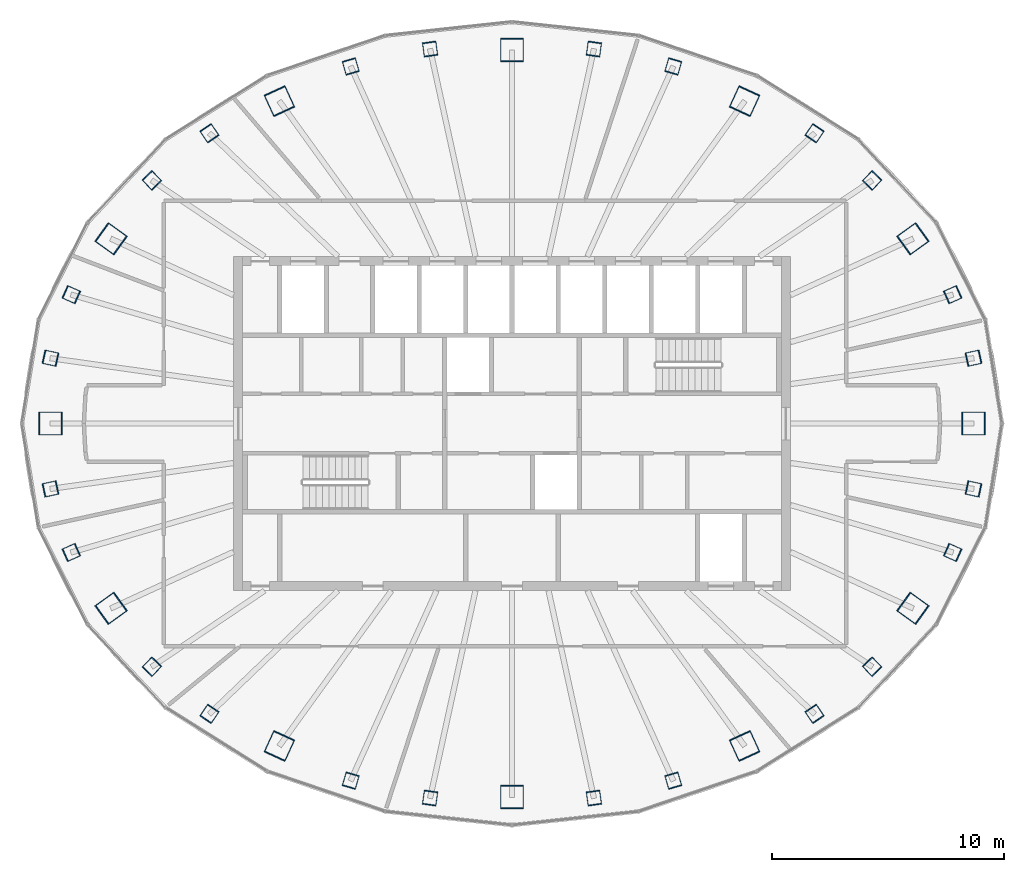
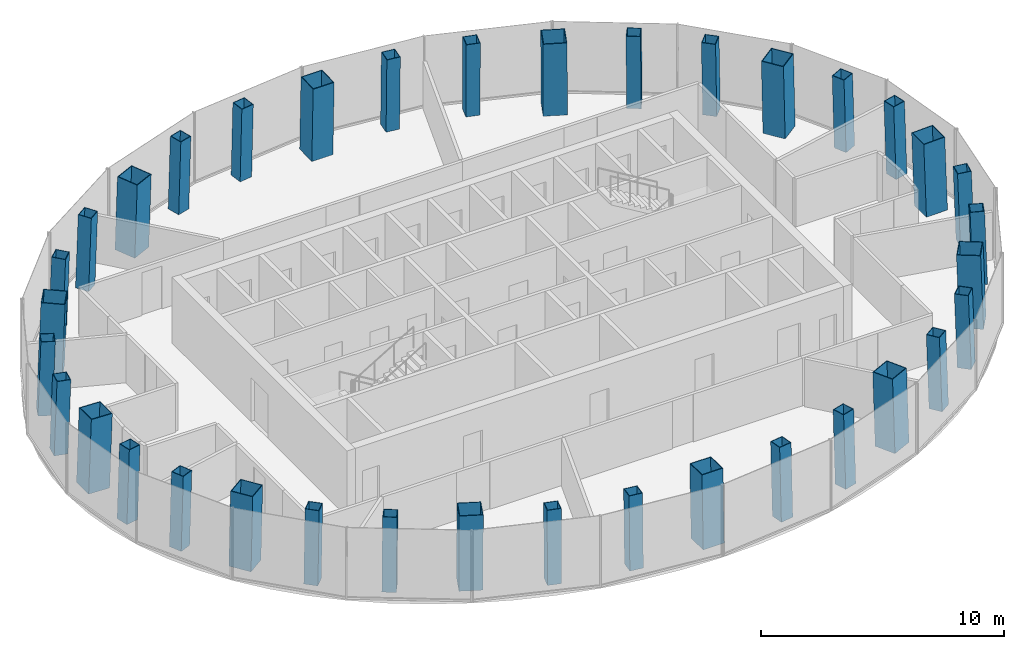
# One storey, part 1 of 11: 36 columns.
"""IFC4 building model written with IfcOpenShell, lengths in metres."""

from ifc_helpers import new_model, si_unit, direction, frame, origin, origin_2d, place, context, subcontext, project, spatial, hollow_rectangle, extrude, material, material_profile, profile_set, type_object, element, save


model = new_model("IFC4")

# Units and contexts
model_context = context("Model", 3, precision=1e-05, world=origin(), true_north=direction((0.0, 1.0)))
body_context = subcontext(model_context, "Body", "Model", "MODEL_VIEW")
ifc_project = project(units=[si_unit("LENGTHUNIT", "METRE"), si_unit("AREAUNIT", "SQUARE_METRE"), si_unit("VOLUMEUNIT", "CUBIC_METRE"), si_unit("PLANEANGLEUNIT", "RADIAN"), si_unit("MASSUNIT", "GRAM", prefix="KILO")], contexts=[model_context])

# Site, building, storey
site_placement = place(None, origin())
site = spatial("IfcSite", under=ifc_project, at=site_placement, CompositionType="ELEMENT")
building_placement = place(site_placement, origin())
building = spatial("IfcBuilding", under=site, at=building_placement, Name="Siaravel Broadcast Tower", CompositionType="ELEMENT")
storey_placement = place(building_placement, frame((0.0, 0.0, 246.699951171875)))
storey = spatial("IfcBuildingStorey", under=building, at=storey_placement, Name="L60", CompositionType="ELEMENT", Elevation=246.699951171875)

# Columns
ifc_material_1 = material(Name="Concrete C70/85", Category="concrete")
ifc_material_profile_1 = material_profile(ifc_material_1, hollow_rectangle(XDim=1.0, YDim=1.0, WallThickness=0.031982421875, at=origin_2d()))
ifc_profile_set_1 = profile_set([ifc_material_profile_1], Name="Concrete C70/85")
column_type_1 = type_object("IfcColumnType", Name="COL-CFT BOX 1000x1000x32", PredefinedType="COLUMN", material=ifc_profile_set_1)
column_1_placement = place(storey_placement, frame((19.90380859375, 0.0, 0.0), z_axis=(-0.034621265, 0.0, 0.999400504), x_axis=(0.0, -1.0, 0.0)))
element("IfcColumn", 1, at=column_1_placement, inside=storey, type_object=column_type_1, Name="Megacolumn MC01", PredefinedType="COLUMN", context=body_context, shape_type="SweptSolid", body=[
    extrude(hollow_rectangle(XDim=1.0, YDim=1.0, WallThickness=0.031982421875, at=origin_2d()), origin(), (0.0, 0.0, 1.0), 3.7021484375),
])
column_2_placement = place(storey_placement, frame((17.290771484375, 7.968505859375, 0.0), z_axis=(-0.030006556, -0.014178922, 0.999449131), x_axis=(0.583833922, -0.81185086, 0.006010986)))
element("IfcColumn", 2, at=column_2_placement, inside=storey, type_object=column_type_1, Name="Megacolumn MC02", PredefinedType="COLUMN", context=body_context, shape_type="SweptSolid", body=[
    extrude(hollow_rectangle(XDim=1.0, YDim=1.0, WallThickness=0.031982421875, at=origin_2d()), origin(), (0.0, 0.0, 1.0), 3.701904296875),
])
column_3_placement = place(storey_placement, frame((10.031494140625, 13.905029296875, 0.0), z_axis=(-0.017280237, -0.024535299, 0.999549605), x_axis=(0.908759144, -0.417285179, 0.00546782)))
element("IfcColumn", 3, at=column_3_placement, inside=storey, type_object=column_type_1, Name="Megacolumn MC03", PredefinedType="COLUMN", context=body_context, shape_type="SweptSolid", body=[
    extrude(hollow_rectangle(XDim=1.0, YDim=1.0, WallThickness=0.031982421875, at=origin_2d()), origin(), (0.0, 0.0, 1.0), 3.70166015625),
])
column_4_placement = place(storey_placement, frame((0.0, 16.1044921875, 0.0), z_axis=(0.0, -0.02836206, 0.999597716), x_axis=(1.0, 0.0, 0.0)))
element("IfcColumn", 4, at=column_4_placement, inside=storey, type_object=column_type_1, Name="Megacolumn MC04", PredefinedType="COLUMN", context=body_context, shape_type="SweptSolid", body=[
    extrude(hollow_rectangle(XDim=1.0, YDim=1.0, WallThickness=0.031982421875, at=origin_2d()), origin(), (0.0, 0.0, 1.0), 3.701416015625),
])
column_5_placement = place(storey_placement, frame((-10.031494140625, 13.905029296875, 0.0), z_axis=(0.017280237, -0.024535299, 0.999549605), x_axis=(0.908759144, 0.417285179, -0.00546782)))
element("IfcColumn", 5, at=column_5_placement, inside=storey, type_object=column_type_1, Name="Megacolumn MC05", PredefinedType="COLUMN", context=body_context, shape_type="SweptSolid", body=[
    extrude(hollow_rectangle(XDim=1.0, YDim=1.0, WallThickness=0.031982421875, at=origin_2d()), origin(), (0.0, 0.0, 1.0), 3.70166015625),
])
column_6_placement = place(storey_placement, frame((-17.290771484375, 7.968505859375, 0.0), z_axis=(0.030006556, -0.014178922, 0.999449131), x_axis=(0.583833922, 0.81185086, -0.006010986)))
element("IfcColumn", 6, at=column_6_placement, inside=storey, type_object=column_type_1, Name="Megacolumn MC06", PredefinedType="COLUMN", context=body_context, shape_type="SweptSolid", body=[
    extrude(hollow_rectangle(XDim=1.0, YDim=1.0, WallThickness=0.031982421875, at=origin_2d()), origin(), (0.0, 0.0, 1.0), 3.701904296875),
])
column_7_placement = place(storey_placement, frame((-19.90380859375, 0.0, 0.0), z_axis=(0.034621265, 0.0, 0.999400504), x_axis=(0.0, 1.0, 0.0)))
element("IfcColumn", 7, at=column_7_placement, inside=storey, type_object=column_type_1, Name="Megacolumn MC07", PredefinedType="COLUMN", context=body_context, shape_type="SweptSolid", body=[
    extrude(hollow_rectangle(XDim=1.0, YDim=1.0, WallThickness=0.031982421875, at=origin_2d()), origin(), (0.0, 0.0, 1.0), 3.7021484375),
])
column_8_placement = place(storey_placement, frame((-17.290771484375, -7.968505859375, 0.0), z_axis=(0.030006556, 0.014178922, 0.999449131), x_axis=(-0.583833922, 0.81185086, 0.006010986)))
element("IfcColumn", 8, at=column_8_placement, inside=storey, type_object=column_type_1, Name="Megacolumn MC08", PredefinedType="COLUMN", context=body_context, shape_type="SweptSolid", body=[
    extrude(hollow_rectangle(XDim=1.0, YDim=1.0, WallThickness=0.031982421875, at=origin_2d()), origin(), (0.0, 0.0, 1.0), 3.701904296875),
])
column_9_placement = place(storey_placement, frame((-10.031494140625, -13.905029296875, 0.0), z_axis=(0.017280237, 0.024535299, 0.999549605), x_axis=(-0.908759144, 0.417285179, 0.00546782)))
element("IfcColumn", 9, at=column_9_placement, inside=storey, type_object=column_type_1, Name="Megacolumn MC09", PredefinedType="COLUMN", context=body_context, shape_type="SweptSolid", body=[
    extrude(hollow_rectangle(XDim=1.0, YDim=1.0, WallThickness=0.031982421875, at=origin_2d()), origin(), (0.0, 0.0, 1.0), 3.70166015625),
])
column_10_placement = place(storey_placement, frame((0.0, -16.1044921875, 0.0), z_axis=(0.0, 0.02836206, 0.999597716), x_axis=(-1.0, 0.0, 0.0)))
element("IfcColumn", 10, at=column_10_placement, inside=storey, type_object=column_type_1, Name="Megacolumn MC10", PredefinedType="COLUMN", context=body_context, shape_type="SweptSolid", body=[
    extrude(hollow_rectangle(XDim=1.0, YDim=1.0, WallThickness=0.031982421875, at=origin_2d()), origin(), (0.0, 0.0, 1.0), 3.701416015625),
])
column_11_placement = place(storey_placement, frame((10.031494140625, -13.905029296875, 0.0), z_axis=(-0.017280237, 0.024535299, 0.999549605), x_axis=(-0.908759144, -0.417285179, -0.00546782)))
element("IfcColumn", 11, at=column_11_placement, inside=storey, type_object=column_type_1, Name="Megacolumn MC11", PredefinedType="COLUMN", context=body_context, shape_type="SweptSolid", body=[
    extrude(hollow_rectangle(XDim=1.0, YDim=1.0, WallThickness=0.031982421875, at=origin_2d()), origin(), (0.0, 0.0, 1.0), 3.70166015625),
])
column_12_placement = place(storey_placement, frame((17.290771484375, -7.968505859375, 0.0), z_axis=(-0.030006556, 0.014178922, 0.999449131), x_axis=(-0.583833922, -0.81185086, -0.006010986)))
element("IfcColumn", 12, at=column_12_placement, inside=storey, type_object=column_type_1, Name="Megacolumn MC12", PredefinedType="COLUMN", context=body_context, shape_type="SweptSolid", body=[
    extrude(hollow_rectangle(XDim=1.0, YDim=1.0, WallThickness=0.031982421875, at=origin_2d()), origin(), (0.0, 0.0, 1.0), 3.701904296875),
])
ifc_material_2 = material(Name="Concrete C50/60", Category="concrete")
ifc_material_profile_2 = material_profile(ifc_material_2, hollow_rectangle(XDim=0.60009765625, YDim=0.60009765625, WallThickness=0.02490234375, at=origin_2d()))
ifc_profile_set_2 = profile_set([ifc_material_profile_2], Name="Concrete C50/60")
column_type_2 = type_object("IfcColumnType", Name="COL-CFT BOX 600x600x25", PredefinedType="COLUMN", material=ifc_profile_set_2)
for number, where, z_axis, x_axis, name in (
    (13, (19.902587890625, 2.819091796875, 0.0), (-0.034028045, -0.004879991, 0.999408964), (0.212088069, -0.977247487, 0.002449431), "Perimeter column C01"),
    (14, (19.006103515625, 5.559326171875, 0.0), (-0.032511812, -0.009628245, 0.999424974), (0.409044671, -0.912503187, 0.004515576), "Perimeter column C02"),
):
    element("IfcColumn", number, at=place(storey_placement, frame(where, z_axis=z_axis, x_axis=x_axis)), inside=storey, type_object=column_type_2, Name=name, PredefinedType="COLUMN", context=body_context, shape_type="SweptSolid", body=[
        extrude(hollow_rectangle(XDim=0.60009765625, YDim=0.60009765625, WallThickness=0.02490234375, at=origin_2d()), origin(), (0.0, 0.0, 1.0), 3.7021484375),
    ])
column_13_placement = place(storey_placement, frame((15.531005859375, 10.486328125, 0.0), z_axis=(-0.026512179, -0.018202391, 0.999482755), x_axis=(0.720903024, -0.693005453, 0.006501716)))
element("IfcColumn", 15, at=column_13_placement, inside=storey, type_object=column_type_2, Name="Perimeter column C03", PredefinedType="COLUMN", context=body_context, shape_type="SweptSolid", body=[
    extrude(hollow_rectangle(XDim=0.60009765625, YDim=0.60009765625, WallThickness=0.02490234375, at=origin_2d()), origin(), (0.0, 0.0, 1.0), 3.701904296875),
])
column_14_placement = place(storey_placement, frame((13.0478515625, 12.52001953125, 0.0), z_axis=(-0.022226156, -0.021698532, 0.999517469), x_axis=(0.828897347, -0.55936539, 0.006288828)))
element("IfcColumn", 16, at=column_14_placement, inside=storey, type_object=column_type_2, Name="Perimeter column C04", PredefinedType="COLUMN", context=body_context, shape_type="SweptSolid", body=[
    extrude(hollow_rectangle(XDim=0.60009765625, YDim=0.60009765625, WallThickness=0.02490234375, at=origin_2d()), origin(), (0.0, 0.0, 1.0), 3.70166015625),
])
for number, where, z_axis, x_axis, name in (
    (17, (6.955078125, 15.400390625, 0.0), (-0.011806266, -0.026646544, 0.999575197), (0.96030634, -0.278920183, 0.003907033), "Perimeter column C05"),
    (18, (3.532958984375, 16.1513671875, 0.0), (-0.006002173, -0.027900212, 0.999592693), (0.990210836, -0.139564663, 0.002050368), "Perimeter column C06"),
    (19, (-3.532958984375, 16.1513671875, 0.0), (0.006002173, -0.027900212, 0.999592693), (0.990210836, 0.139564663, -0.002050368), "Perimeter column C07"),
    (20, (-6.955078125, 15.400390625, 0.0), (0.011806266, -0.026646544, 0.999575197), (0.96030634, 0.278920183, -0.003907033), "Perimeter column C08"),
):
    element("IfcColumn", number, at=place(storey_placement, frame(where, z_axis=z_axis, x_axis=x_axis)), inside=storey, type_object=column_type_2, Name=name, PredefinedType="COLUMN", context=body_context, shape_type="SweptSolid", body=[
        extrude(hollow_rectangle(XDim=0.60009765625, YDim=0.60009765625, WallThickness=0.02490234375, at=origin_2d()), origin(), (0.0, 0.0, 1.0), 3.701416015625),
    ])
column_15_placement = place(storey_placement, frame((-13.0478515625, 12.52001953125, 0.0), z_axis=(0.022226156, -0.021698532, 0.999517469), x_axis=(0.828897347, 0.55936539, -0.006288828)))
element("IfcColumn", 21, at=column_15_placement, inside=storey, type_object=column_type_2, Name="Perimeter column C09", PredefinedType="COLUMN", context=body_context, shape_type="SweptSolid", body=[
    extrude(hollow_rectangle(XDim=0.60009765625, YDim=0.60009765625, WallThickness=0.02490234375, at=origin_2d()), origin(), (0.0, 0.0, 1.0), 3.70166015625),
])
column_16_placement = place(storey_placement, frame((-15.531005859375, 10.486328125, 0.0), z_axis=(0.026512179, -0.018202391, 0.999482755), x_axis=(0.720903024, 0.693005453, -0.006501716)))
element("IfcColumn", 22, at=column_16_placement, inside=storey, type_object=column_type_2, Name="Perimeter column C10", PredefinedType="COLUMN", context=body_context, shape_type="SweptSolid", body=[
    extrude(hollow_rectangle(XDim=0.60009765625, YDim=0.60009765625, WallThickness=0.02490234375, at=origin_2d()), origin(), (0.0, 0.0, 1.0), 3.701904296875),
])
for number, where, z_axis, x_axis, name in (
    (23, (-19.006103515625, 5.559326171875, 0.0), (0.032511812, -0.009628245, 0.999424974), (0.409044671, 0.912503187, -0.004515576), "Perimeter column C11"),
    (24, (-19.902587890625, 2.819091796875, 0.0), (0.034028045, -0.004879991, 0.999408964), (0.212088069, 0.977247487, -0.002449431), "Perimeter column C12"),
    (25, (-19.902587890625, -2.819091796875, 0.0), (0.034028045, 0.004879991, 0.999408964), (-0.212088069, 0.977247487, 0.002449431), "Perimeter column C13"),
    (26, (-19.006103515625, -5.559326171875, 0.0), (0.032511812, 0.009628245, 0.999424974), (-0.409044671, 0.912503187, 0.004515576), "Perimeter column C14"),
):
    element("IfcColumn", number, at=place(storey_placement, frame(where, z_axis=z_axis, x_axis=x_axis)), inside=storey, type_object=column_type_2, Name=name, PredefinedType="COLUMN", context=body_context, shape_type="SweptSolid", body=[
        extrude(hollow_rectangle(XDim=0.60009765625, YDim=0.60009765625, WallThickness=0.02490234375, at=origin_2d()), origin(), (0.0, 0.0, 1.0), 3.7021484375),
    ])
column_17_placement = place(storey_placement, frame((-15.531005859375, -10.486328125, 0.0), z_axis=(0.026512179, 0.018202391, 0.999482755), x_axis=(-0.720903024, 0.693005453, 0.006501716)))
element("IfcColumn", 27, at=column_17_placement, inside=storey, type_object=column_type_2, Name="Perimeter column C15", PredefinedType="COLUMN", context=body_context, shape_type="SweptSolid", body=[
    extrude(hollow_rectangle(XDim=0.60009765625, YDim=0.60009765625, WallThickness=0.02490234375, at=origin_2d()), origin(), (0.0, 0.0, 1.0), 3.701904296875),
])
column_18_placement = place(storey_placement, frame((-13.0478515625, -12.52001953125, 0.0), z_axis=(0.022226156, 0.021698532, 0.999517469), x_axis=(-0.828897347, 0.55936539, 0.006288828)))
element("IfcColumn", 28, at=column_18_placement, inside=storey, type_object=column_type_2, Name="Perimeter column C16", PredefinedType="COLUMN", context=body_context, shape_type="SweptSolid", body=[
    extrude(hollow_rectangle(XDim=0.60009765625, YDim=0.60009765625, WallThickness=0.02490234375, at=origin_2d()), origin(), (0.0, 0.0, 1.0), 3.70166015625),
])
for number, where, z_axis, x_axis, name in (
    (29, (-6.955078125, -15.400390625, 0.0), (0.011806266, 0.026646544, 0.999575197), (-0.96030634, 0.278920183, 0.003907033), "Perimeter column C17"),
    (30, (-3.532958984375, -16.1513671875, 0.0), (0.006002173, 0.027900212, 0.999592693), (-0.990210836, 0.139564663, 0.002050368), "Perimeter column C18"),
    (31, (3.532958984375, -16.1513671875, 0.0), (-0.006002173, 0.027900212, 0.999592693), (-0.990210836, -0.139564663, -0.002050368), "Perimeter column C19"),
    (32, (6.955078125, -15.400390625, 0.0), (-0.011806266, 0.026646544, 0.999575197), (-0.96030634, -0.278920183, -0.003907033), "Perimeter column C20"),
):
    element("IfcColumn", number, at=place(storey_placement, frame(where, z_axis=z_axis, x_axis=x_axis)), inside=storey, type_object=column_type_2, Name=name, PredefinedType="COLUMN", context=body_context, shape_type="SweptSolid", body=[
        extrude(hollow_rectangle(XDim=0.60009765625, YDim=0.60009765625, WallThickness=0.02490234375, at=origin_2d()), origin(), (0.0, 0.0, 1.0), 3.701416015625),
    ])
column_19_placement = place(storey_placement, frame((13.0478515625, -12.52001953125, 0.0), z_axis=(-0.022226156, 0.021698532, 0.999517469), x_axis=(-0.828897347, -0.55936539, -0.006288828)))
element("IfcColumn", 33, at=column_19_placement, inside=storey, type_object=column_type_2, Name="Perimeter column C21", PredefinedType="COLUMN", context=body_context, shape_type="SweptSolid", body=[
    extrude(hollow_rectangle(XDim=0.60009765625, YDim=0.60009765625, WallThickness=0.02490234375, at=origin_2d()), origin(), (0.0, 0.0, 1.0), 3.70166015625),
])
column_20_placement = place(storey_placement, frame((15.531005859375, -10.486328125, 0.0), z_axis=(-0.026512179, 0.018202391, 0.999482755), x_axis=(-0.720903024, -0.693005453, -0.006501716)))
element("IfcColumn", 34, at=column_20_placement, inside=storey, type_object=column_type_2, Name="Perimeter column C22", PredefinedType="COLUMN", context=body_context, shape_type="SweptSolid", body=[
    extrude(hollow_rectangle(XDim=0.60009765625, YDim=0.60009765625, WallThickness=0.02490234375, at=origin_2d()), origin(), (0.0, 0.0, 1.0), 3.701904296875),
])
for number, where, z_axis, x_axis, name in (
    (35, (19.006103515625, -5.559326171875, 0.0), (-0.032511812, 0.009628245, 0.999424974), (-0.409044671, -0.912503187, -0.004515576), "Perimeter column C23"),
    (36, (19.902587890625, -2.819091796875, 0.0), (-0.034028045, 0.004879991, 0.999408964), (-0.212088069, -0.977247487, -0.002449431), "Perimeter column C24"),
):
    element("IfcColumn", number, at=place(storey_placement, frame(where, z_axis=z_axis, x_axis=x_axis)), inside=storey, type_object=column_type_2, Name=name, PredefinedType="COLUMN", context=body_context, shape_type="SweptSolid", body=[
        extrude(hollow_rectangle(XDim=0.60009765625, YDim=0.60009765625, WallThickness=0.02490234375, at=origin_2d()), origin(), (0.0, 0.0, 1.0), 3.7021484375),
    ])

save(model, "model.ifc")
